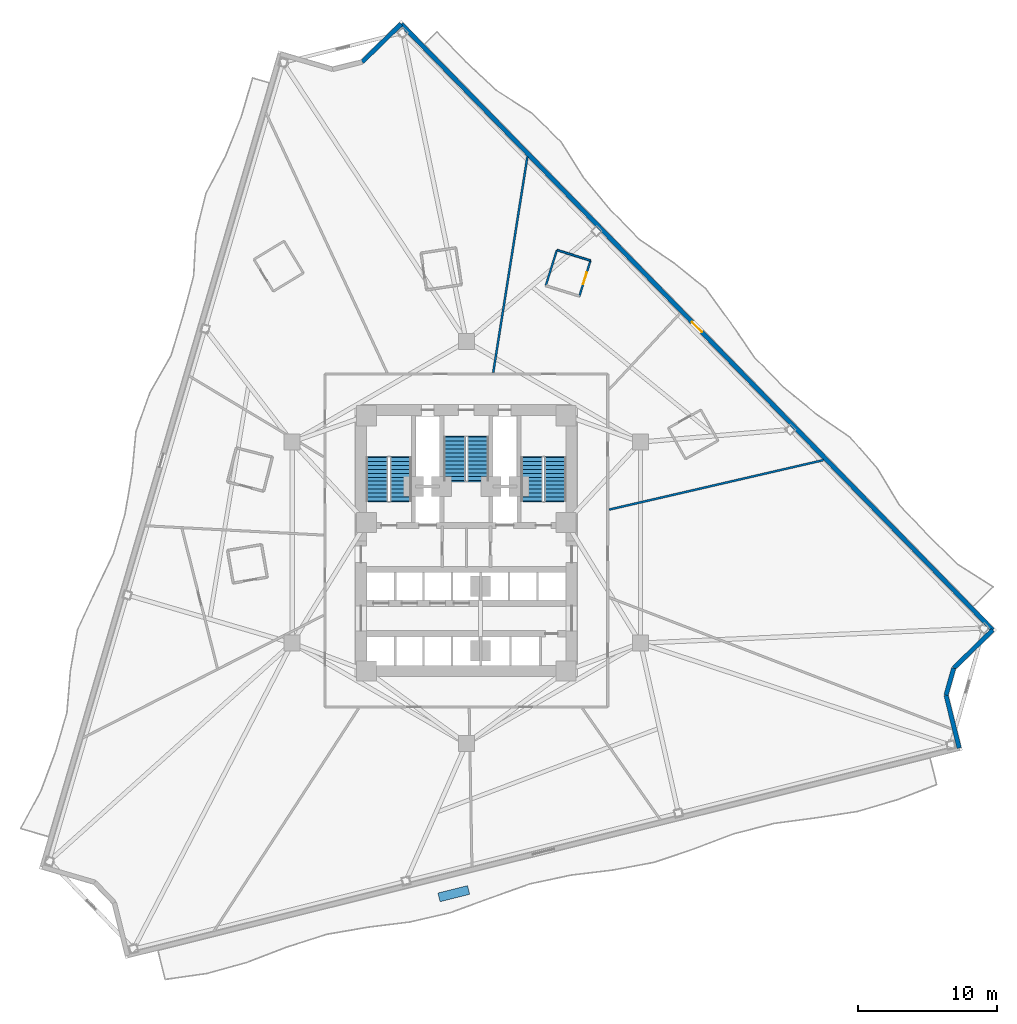
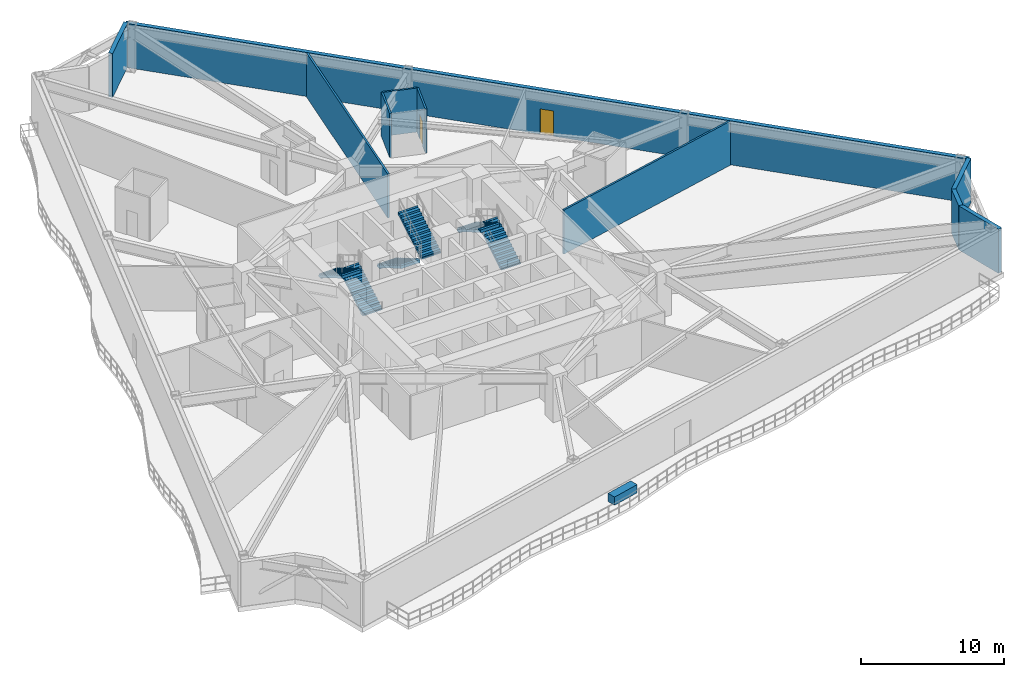
# One storey, part 9 of 13: 10 walls, 6 stair flights, 2 doors, 1 discrete accessory, 2 openings, 3 elements without a shape of their own.
"""IFC4 building model written with IfcOpenShell, lengths in metres."""

from ifc_helpers import new_model, si_unit, direction, frame, frame_2d, origin, origin_2d, place, context, subcontext, project, spatial, polyline, rectangle, outline, extrude, material, layer, layer_set, type_object, element, fill, aggregate, save


model = new_model("IFC4")

# Units and contexts
model_context = context("Model", 3, precision=1e-05, world=origin(), true_north=direction((0.0, 1.0)))
body_context = subcontext(model_context, "Body", "Model", "MODEL_VIEW")
ifc_project = project(units=[si_unit("LENGTHUNIT", "METRE"), si_unit("AREAUNIT", "SQUARE_METRE"), si_unit("VOLUMEUNIT", "CUBIC_METRE"), si_unit("PLANEANGLEUNIT", "RADIAN"), si_unit("MASSUNIT", "GRAM", prefix="KILO")], contexts=[model_context])

# Site, building, storey
site_placement = place(None, origin())
site = spatial("IfcSite", under=ifc_project, at=site_placement, CompositionType="ELEMENT")
building_placement = place(site_placement, origin())
building = spatial("IfcBuilding", under=site, at=building_placement, Name="Apsidion Concourse Tower", CompositionType="ELEMENT")
storey_placement = place(building_placement, frame((0.0, 0.0, 95.0)))
storey = spatial("IfcBuildingStorey", under=building, at=storey_placement, Name="L21", CompositionType="ELEMENT", Elevation=95.0)

# Wall, opening, door
ifc_material_1 = material(Name="Precast concrete C40/50", Category="concrete")
ifc_layer_1 = layer(ifc_material_1, 0.320068359375)
ifc_layer_set_1 = layer_set([ifc_layer_1], Name="Precast concrete C40/50")
wall_type_1 = type_object("IfcWallType", Name="WL-EXT-320", PredefinedType="STANDARD", material=ifc_layer_set_1)
wall_1_placement = place(storey_placement, frame((-4.6982421875, 37.40185546875, 0.0), z_axis=(0.0, 0.0, 1.0), x_axis=(0.698490621109, -0.715619208954, 0.0)))
wall_1 = element("IfcWall", 1, at=wall_1_placement, inside=storey, type_object=wall_type_1, Name="L21 Precast Stone Facade Wall 01", PredefinedType="STANDARD", context=body_context, shape_type="SweptSolid", body=[
    extrude(rectangle(XDim=61.075927734375, YDim=0.320068359375, at=frame_2d((30.5380859375, 0.0))), origin(), (0.0, 0.0, 1.0), 3.75),
])
opening_1_placement = place(wall_1_placement, frame((30.037841796875, 0.0, 0.0)))
opening_1 = element("IfcOpeningElement", 2, at=opening_1_placement, cuts=wall_1, Name="Opening D-T1R", PredefinedType="OPENING", context=body_context, shape_type="SweptSolid", body=[
    extrude(rectangle(XDim=1.0, YDim=2.14990234375, at=frame_2d((0.5, 1.074951171875))), frame((0.0, 0.169921875, 0.0), z_axis=(0.0, -1.0, 0.0), x_axis=(1.0, 0.0, 0.0)), (0.0, 0.0, 1.0), 0.340087890625),
])
ifc_material_2 = material(Name="Anodised aluminium EN AW-6063 T6", Category="aluminium")
door_type_1 = type_object("IfcDoorType", Name="DR-TER-1022R", OperationType="SINGLE_SWING_RIGHT", PredefinedType="DOOR", material=ifc_material_2)
door_1_placement = place(opening_1_placement, origin())
door_1 = element("IfcDoor", 3, at=door_1_placement, inside=storey, type_object=door_type_1, Name="L21 Balcony Access Door 3", OperationType="SINGLE_SWING_RIGHT", OverallHeight=2.14990234375, OverallWidth=1.0, PredefinedType="DOOR", context=body_context, shape_type="SweptSolid", body=[
    extrude(rectangle(XDim=1.0, YDim=2.14990234375, at=frame_2d((0.5, 1.074951171875))), frame((0.0, 0.02490234375, 0.0), z_axis=(0.0, -1.0, 0.0), x_axis=(1.0, 0.0, 0.0)), (0.0, 0.0, 1.0), 0.050048828125),
])
fill(opening_1, door_1)

# Walls
wall_2_placement = place(storey_placement, frame((37.962646484375, -6.30517578125, 0.0), z_axis=(0.0, 0.0, 1.0), x_axis=(-0.71562223009, -0.698487525873, 0.0)))
element("IfcWall", 4, at=wall_2_placement, inside=storey, type_object=wall_type_1, Name="L21 Precast Stone Facade Wall 02", PredefinedType="STANDARD", context=body_context, shape_type="SweptSolid", body=[
    extrude(rectangle(XDim=3.9326171875, YDim=0.320068359375, at=frame_2d((1.96630859375, 0.0))), origin(), (0.0, 0.0, 1.0), 3.75),
])
wall_3_placement = place(storey_placement, frame((35.1484375, -9.052001953125, 0.0), z_axis=(0.0, 0.0, 1.0), x_axis=(-0.27306692697, -0.961995038134, 0.0)))
element("IfcWall", 5, at=wall_3_placement, inside=storey, type_object=wall_type_1, Name="L21 Precast Stone Facade Wall 03", PredefinedType="STANDARD", context=body_context, shape_type="SweptSolid", body=[
    extrude(rectangle(XDim=2.02783203125, YDim=0.320068359375, at=frame_2d((1.013916015625, 0.0))), origin(), (0.0, 0.0, 1.0), 3.75),
])
wall_4_placement = place(storey_placement, frame((34.5947265625, -11.002685546875, 0.0), z_axis=(0.0, 0.0, 1.0), x_axis=(0.241936662418, -0.970292044375, 0.0)))
element("IfcWall", 6, at=wall_4_placement, inside=storey, type_object=wall_type_1, Name="L21 Precast Stone Facade Wall 04", PredefinedType="STANDARD", context=body_context, shape_type="SweptSolid", body=[
    extrude(rectangle(XDim=3.9326171875, YDim=0.320068359375, at=frame_2d((1.96630859375, 0.0))), origin(), (0.0, 0.0, 1.0), 3.75),
])
wall_5_placement = place(storey_placement, frame((-7.51318359375, 34.654296875, 0.0), z_axis=(0.0, 0.0, 1.0), x_axis=(0.715620001602, 0.698489809022, 0.0)))
element("IfcWall", 7, at=wall_5_placement, inside=storey, type_object=wall_type_1, Name="L21 Precast Stone Facade Wall 12", PredefinedType="STANDARD", context=body_context, shape_type="SweptSolid", body=[
    extrude(rectangle(XDim=3.93359375, YDim=0.320068359375, at=frame_2d((1.966796875, 0.0))), origin(), (0.0, 0.0, 1.0), 3.75),
])

# Wall, opening, door
ifc_material_3 = material(Name="Gypsum plasterboard partition")
ifc_layer_2 = layer(ifc_material_3, 0.139892578125)
ifc_layer_set_2 = layer_set([ifc_layer_2], Name="Gypsum plasterboard partition")
wall_type_2 = type_object("IfcWallType", Name="WL-INT-PAR-140", PredefinedType="PARTITIONING", material=ifc_layer_set_2)
wall_6_placement = place(storey_placement, frame((8.153076171875, 17.76953125, 0.0), z_axis=(0.0, 0.0, 1.0), x_axis=(0.299050058413, 0.954237424629, 0.0)))
wall_6 = element("IfcWall", 8, at=wall_6_placement, inside=storey, type_object=wall_type_2, Name="L21 Interior Partition WL-L21-POD-ENS07-S1", PredefinedType="PARTITIONING", context=body_context, shape_type="SweptSolid", body=[
    extrude(rectangle(XDim=2.68994140625, YDim=0.139892578125, at=frame_2d((1.344970703125, 0.0))), origin(), (0.0, 0.0, 1.0), 3.75),
])
opening_2_placement = place(wall_6_placement, frame((0.905029296875, 0.0, 0.0)))
opening_2 = element("IfcOpeningElement", 9, at=opening_2_placement, cuts=wall_6, Name="Opening D-03R", PredefinedType="OPENING", context=body_context, shape_type="SweptSolid", body=[
    extrude(rectangle(XDim=0.8798828125, YDim=2.10009765625, at=frame_2d((0.43994140625, 1.050048828125))), frame((0.0, 0.080078125, 0.0), z_axis=(0.0, -1.0, 0.0), x_axis=(1.0, 0.0, 0.0)), (0.0, 0.0, 1.0), 0.159912109375),
])
door_type_2 = type_object("IfcDoorType", Name="DR-INT-D03R", OperationType="SINGLE_SWING_RIGHT", PredefinedType="DOOR", material=ifc_material_2)
door_2_placement = place(opening_2_placement, origin())
door_2 = element("IfcDoor", 10, at=door_2_placement, inside=storey, type_object=door_type_2, Name="L21 Guest En-Suite Bathroom Door ENS07", OperationType="SINGLE_SWING_RIGHT", OverallHeight=2.10009765625, OverallWidth=0.8798828125, PredefinedType="DOOR", context=body_context, shape_type="SweptSolid", body=[
    extrude(rectangle(XDim=0.8798828125, YDim=2.10009765625, at=frame_2d((0.43994140625, 1.050048828125))), frame((0.0, 0.02490234375, 0.0), z_axis=(0.0, -1.0, 0.0), x_axis=(1.0, 0.0, 0.0)), (0.0, 0.0, 1.0), 0.050048828125),
])
fill(opening_2, door_2)

# Walls
wall_7_placement = place(storey_placement, frame((8.95751953125, 20.33642578125, 0.0), z_axis=(0.0, 0.0, 1.0), x_axis=(-0.954247092135, 0.299019208666, 0.0)))
element("IfcWall", 11, at=wall_7_placement, inside=storey, type_object=wall_type_2, Name="L21 Interior Partition WL-L21-POD-ENS07-S2", PredefinedType="PARTITIONING", context=body_context, shape_type="SweptSolid", body=[
    extrude(rectangle(XDim=2.5400390625, YDim=0.139892578125, at=frame_2d((1.27001953125, 0.0))), origin(), (0.0, 0.0, 1.0), 3.75),
])
wall_8_placement = place(storey_placement, frame((6.53369140625, 21.095947265625, 0.0), z_axis=(0.0, 0.0, 1.0), x_axis=(-0.299050058413, -0.954237424629, 0.0)))
element("IfcWall", 12, at=wall_8_placement, inside=storey, type_object=wall_type_2, Name="L21 Interior Partition WL-L21-POD-ENS07-S3", PredefinedType="PARTITIONING", context=body_context, shape_type="SweptSolid", body=[
    extrude(rectangle(XDim=2.68994140625, YDim=0.139892578125, at=frame_2d((1.344970703125, 0.0))), origin(), (0.0, 0.0, 1.0), 3.75),
])
ifc_layer_3 = layer(ifc_material_3, 0.14990234375)
ifc_layer_set_3 = layer_set([ifc_layer_3], Name="Gypsum plasterboard partition")
wall_type_3 = type_object("IfcWallType", Name="WL-INT-PAR-150", PredefinedType="PARTITIONING", material=ifc_layer_set_3)
wall_9_placement = place(storey_placement, frame((10.304931640625, 2.379150390625, 0.0), z_axis=(0.0, 0.0, 1.0), x_axis=(0.974370696927, 0.224948316218, 0.0)))
element("IfcWall", 13, at=wall_9_placement, inside=storey, type_object=wall_type_3, Name="L21 Interior Partition WL-L21-RAD-01-1", PredefinedType="PARTITIONING", context=body_context, shape_type="SweptSolid", body=[
    extrude(rectangle(XDim=15.86083984375, YDim=0.14990234375, at=frame_2d((7.930419921875, 0.0))), origin(), (0.0, 0.0, 1.0), 3.75),
])
wall_10_placement = place(storey_placement, frame((1.94091796875, 12.2548828125, 0.0), z_axis=(0.0, 0.0, 1.0), x_axis=(0.156438988869, 0.98768762408, 0.0)))
element("IfcWall", 14, at=wall_10_placement, inside=storey, type_object=wall_type_3, Name="L21 Interior Partition WL-L21-RAD-03-1", PredefinedType="PARTITIONING", context=body_context, shape_type="SweptSolid", body=[
    extrude(rectangle(XDim=15.76220703125, YDim=0.14990234375, at=frame_2d((7.881103515625, 0.0))), origin(), (0.0, 0.0, 1.0), 3.75),
])

# Stair, stair flights
stair_type = type_object("IfcStairType", Name="ST-DL-1550", PredefinedType="HALF_TURN_STAIR", material=ifc_material_1)
stair_1_placement = place(storey_placement, origin())
stair_1 = element("IfcStair", 15, at=stair_1_placement, inside=storey, type_object=stair_type, Name="L21 Protected Core Exit Stair ST1", PredefinedType="HALF_TURN_STAIR")
stair_flight_type = type_object("IfcStairFlightType", Name="SFL-RC-1550", PredefinedType="STRAIGHT", material=ifc_material_1)
stair_flight_1_placement = place(storey_placement, frame((-4.72509765625, 3.0, 0.0), z_axis=(0.0, 0.0, 1.0), x_axis=(0.0, 1.0, 0.0)))
stair_flight_1 = element("IfcStairFlight", 16, at=stair_flight_1_placement, type_object=stair_flight_type, Name="ST1 flight 1", NumberOfRisers=12, NumberOfTreads=11, PredefinedType="STRAIGHT", RiserHeight=0.166666667, TreadLength=0.285, context=body_context, shape_type="SweptSolid", body=[
    extrude(outline(polyline([(-0.080078125, -0.1123046875), (-0.080078125, 0.0), (0.0, 0.0), (0.0, 0.166748046875), (0.284912109375, 0.166748046875), (0.284912109375, 0.333251953125), (0.570068359375, 0.333251953125), (0.570068359375, 0.5), (0.85498046875, 0.5), (0.85498046875, 0.666748046875), (1.139892578125, 0.666748046875), (1.139892578125, 0.833251953125), (1.425048828125, 0.833251953125), (1.425048828125, 1.0), (1.7099609375, 1.0), (1.7099609375, 1.166748046875), (1.9951171875, 1.166748046875), (1.9951171875, 1.333251953125), (2.280029296875, 1.333251953125), (2.280029296875, 1.5), (2.56494140625, 1.5), (2.56494140625, 1.666748046875), (2.85009765625, 1.666748046875), (2.85009765625, 1.833251953125), (3.135009765625, 1.833251953125), (3.135009765625, 2.0), (3.215087890625, 1.916748046875), (3.215087890625, 1.65966796875), (3.135009765625, 1.65966796875), (0.296875, 0.0), (0.296875, -0.1123046875), (-0.080078125, -0.1123046875)])), frame((0.0, 0.77490234375, 0.0), z_axis=(0.0, -1.0, 0.0), x_axis=(1.0, 0.0, 0.0)), (0.0, 0.0, 1.0), 1.550048828125),
])
stair_flight_2_placement = place(storey_placement, frame((-6.425048828125, 6.135009765625, 2.0), z_axis=(0.0, 0.0, 1.0), x_axis=(0.0, -1.0, 0.0)))
stair_flight_2 = element("IfcStairFlight", 17, at=stair_flight_2_placement, type_object=stair_flight_type, Name="ST1 flight 2", NumberOfRisers=12, NumberOfTreads=11, PredefinedType="STRAIGHT", RiserHeight=0.166666667, TreadLength=0.285, context=body_context, shape_type="SweptSolid", body=[
    extrude(outline(polyline([(-0.080078125, -0.1123046875), (-0.080078125, 0.0), (0.0, 0.0), (0.0, 0.166748046875), (0.284912109375, 0.166748046875), (0.284912109375, 0.333251953125), (0.570068359375, 0.333251953125), (0.570068359375, 0.5), (0.85498046875, 0.5), (0.85498046875, 0.666748046875), (1.139892578125, 0.666748046875), (1.139892578125, 0.833251953125), (1.425048828125, 0.833251953125), (1.425048828125, 1.0), (1.7099609375, 1.0), (1.7099609375, 1.166748046875), (1.9951171875, 1.166748046875), (1.9951171875, 1.333251953125), (2.280029296875, 1.333251953125), (2.280029296875, 1.5), (2.56494140625, 1.5), (2.56494140625, 1.666748046875), (2.85009765625, 1.666748046875), (2.85009765625, 1.833251953125), (3.135009765625, 1.833251953125), (3.135009765625, 2.0), (3.215087890625, 1.916748046875), (3.215087890625, 1.65966796875), (3.135009765625, 1.65966796875), (0.296875, 0.0), (0.296875, -0.1123046875), (-0.080078125, -0.1123046875)])), frame((0.0, 0.77490234375, 0.0), z_axis=(0.0, -1.0, 0.0), x_axis=(1.0, 0.0, 0.0)), (0.0, 0.0, 1.0), 1.550048828125),
])
aggregate(stair_1, [stair_flight_1, stair_flight_2])

stair_2_placement = place(storey_placement, origin())
stair_2 = element("IfcStair", 18, at=stair_2_placement, inside=storey, type_object=stair_type, Name="L21 Protected Core Exit Stair ST2", PredefinedType="HALF_TURN_STAIR")
stair_flight_3_placement = place(storey_placement, frame((6.425048828125, 3.0, 0.0), z_axis=(0.0, 0.0, 1.0), x_axis=(0.0, 1.0, 0.0)))
stair_flight_3 = element("IfcStairFlight", 19, at=stair_flight_3_placement, type_object=stair_flight_type, Name="ST2 flight 1", NumberOfRisers=12, NumberOfTreads=11, PredefinedType="STRAIGHT", RiserHeight=0.166666667, TreadLength=0.285, context=body_context, shape_type="SweptSolid", body=[
    extrude(outline(polyline([(-0.080078125, -0.1123046875), (-0.080078125, 0.0), (0.0, 0.0), (0.0, 0.166748046875), (0.284912109375, 0.166748046875), (0.284912109375, 0.333251953125), (0.570068359375, 0.333251953125), (0.570068359375, 0.5), (0.85498046875, 0.5), (0.85498046875, 0.666748046875), (1.139892578125, 0.666748046875), (1.139892578125, 0.833251953125), (1.425048828125, 0.833251953125), (1.425048828125, 1.0), (1.7099609375, 1.0), (1.7099609375, 1.166748046875), (1.9951171875, 1.166748046875), (1.9951171875, 1.333251953125), (2.280029296875, 1.333251953125), (2.280029296875, 1.5), (2.56494140625, 1.5), (2.56494140625, 1.666748046875), (2.85009765625, 1.666748046875), (2.85009765625, 1.833251953125), (3.135009765625, 1.833251953125), (3.135009765625, 2.0), (3.215087890625, 1.916748046875), (3.215087890625, 1.65966796875), (3.135009765625, 1.65966796875), (0.296875, 0.0), (0.296875, -0.1123046875), (-0.080078125, -0.1123046875)])), frame((0.0, 0.77490234375, 0.0), z_axis=(0.0, -1.0, 0.0), x_axis=(1.0, 0.0, 0.0)), (0.0, 0.0, 1.0), 1.550048828125),
])
stair_flight_4_placement = place(storey_placement, frame((4.72509765625, 6.135009765625, 2.0), z_axis=(0.0, 0.0, 1.0), x_axis=(0.0, -1.0, 0.0)))
stair_flight_4 = element("IfcStairFlight", 20, at=stair_flight_4_placement, type_object=stair_flight_type, Name="ST2 flight 2", NumberOfRisers=12, NumberOfTreads=11, PredefinedType="STRAIGHT", RiserHeight=0.166666667, TreadLength=0.285, context=body_context, shape_type="SweptSolid", body=[
    extrude(outline(polyline([(-0.080078125, -0.1123046875), (-0.080078125, 0.0), (0.0, 0.0), (0.0, 0.166748046875), (0.284912109375, 0.166748046875), (0.284912109375, 0.333251953125), (0.570068359375, 0.333251953125), (0.570068359375, 0.5), (0.85498046875, 0.5), (0.85498046875, 0.666748046875), (1.139892578125, 0.666748046875), (1.139892578125, 0.833251953125), (1.425048828125, 0.833251953125), (1.425048828125, 1.0), (1.7099609375, 1.0), (1.7099609375, 1.166748046875), (1.9951171875, 1.166748046875), (1.9951171875, 1.333251953125), (2.280029296875, 1.333251953125), (2.280029296875, 1.5), (2.56494140625, 1.5), (2.56494140625, 1.666748046875), (2.85009765625, 1.666748046875), (2.85009765625, 1.833251953125), (3.135009765625, 1.833251953125), (3.135009765625, 2.0), (3.215087890625, 1.916748046875), (3.215087890625, 1.65966796875), (3.135009765625, 1.65966796875), (0.296875, 0.0), (0.296875, -0.1123046875), (-0.080078125, -0.1123046875)])), frame((0.0, 0.77490234375, 0.0), z_axis=(0.0, -1.0, 0.0), x_axis=(1.0, 0.0, 0.0)), (0.0, 0.0, 1.0), 1.550048828125),
])
aggregate(stair_2, [stair_flight_3, stair_flight_4])

stair_3_placement = place(storey_placement, origin())
stair_3 = element("IfcStair", 21, at=stair_3_placement, inside=storey, type_object=stair_type, Name="L21 Protected Core Exit Stair ST3", PredefinedType="HALF_TURN_STAIR")
stair_flight_5_placement = place(storey_placement, frame((-0.85009765625, 7.60009765625, 0.0), z_axis=(0.0, 0.0, 1.0), x_axis=(0.0, -1.0, 0.0)))
stair_flight_5 = element("IfcStairFlight", 22, at=stair_flight_5_placement, type_object=stair_flight_type, Name="ST3 flight 1", NumberOfRisers=12, NumberOfTreads=11, PredefinedType="STRAIGHT", RiserHeight=0.166666667, TreadLength=0.285, context=body_context, shape_type="SweptSolid", body=[
    extrude(outline(polyline([(-0.080078125, -0.1123046875), (-0.080078125, 0.0), (0.0, 0.0), (0.0, 0.166748046875), (0.284912109375, 0.166748046875), (0.284912109375, 0.333251953125), (0.570068359375, 0.333251953125), (0.570068359375, 0.5), (0.85498046875, 0.5), (0.85498046875, 0.666748046875), (1.139892578125, 0.666748046875), (1.139892578125, 0.833251953125), (1.425048828125, 0.833251953125), (1.425048828125, 1.0), (1.7099609375, 1.0), (1.7099609375, 1.166748046875), (1.9951171875, 1.166748046875), (1.9951171875, 1.333251953125), (2.280029296875, 1.333251953125), (2.280029296875, 1.5), (2.56494140625, 1.5), (2.56494140625, 1.666748046875), (2.85009765625, 1.666748046875), (2.85009765625, 1.833251953125), (3.135009765625, 1.833251953125), (3.135009765625, 2.0), (3.215087890625, 1.916748046875), (3.215087890625, 1.65966796875), (3.135009765625, 1.65966796875), (0.296875, 0.0), (0.296875, -0.1123046875), (-0.080078125, -0.1123046875)])), frame((0.0, 0.77490234375, 0.0), z_axis=(0.0, -1.0, 0.0), x_axis=(1.0, 0.0, 0.0)), (0.0, 0.0, 1.0), 1.550048828125),
])
stair_flight_6_placement = place(storey_placement, frame((0.85009765625, 4.465087890625, 2.0), z_axis=(0.0, 0.0, 1.0), x_axis=(0.0, 1.0, 0.0)))
stair_flight_6 = element("IfcStairFlight", 23, at=stair_flight_6_placement, type_object=stair_flight_type, Name="ST3 flight 2", NumberOfRisers=12, NumberOfTreads=11, PredefinedType="STRAIGHT", RiserHeight=0.166666667, TreadLength=0.285, context=body_context, shape_type="SweptSolid", body=[
    extrude(outline(polyline([(-0.080078125, -0.1123046875), (-0.080078125, 0.0), (0.0, 0.0), (0.0, 0.166748046875), (0.284912109375, 0.166748046875), (0.284912109375, 0.333251953125), (0.570068359375, 0.333251953125), (0.570068359375, 0.5), (0.85498046875, 0.5), (0.85498046875, 0.666748046875), (1.139892578125, 0.666748046875), (1.139892578125, 0.833251953125), (1.425048828125, 0.833251953125), (1.425048828125, 1.0), (1.7099609375, 1.0), (1.7099609375, 1.166748046875), (1.9951171875, 1.166748046875), (1.9951171875, 1.333251953125), (2.280029296875, 1.333251953125), (2.280029296875, 1.5), (2.56494140625, 1.5), (2.56494140625, 1.666748046875), (2.85009765625, 1.666748046875), (2.85009765625, 1.833251953125), (3.135009765625, 1.833251953125), (3.135009765625, 2.0), (3.215087890625, 1.916748046875), (3.215087890625, 1.65966796875), (3.135009765625, 1.65966796875), (0.296875, 0.0), (0.296875, -0.1123046875), (-0.080078125, -0.1123046875)])), frame((0.0, 0.77490234375, 0.0), z_axis=(0.0, -1.0, 0.0), x_axis=(1.0, 0.0, 0.0)), (0.0, 0.0, 1.0), 1.550048828125),
])
aggregate(stair_3, [stair_flight_5, stair_flight_6])

# Discrete accessory
discrete_accessory_type = type_object("IfcDiscreteAccessoryType", Name="ACC-PLANTER-90", PredefinedType="USERDEFINED", material=ifc_material_1)
discrete_accessory_placement = place(storey_placement, frame((-0.9013671875, -25.319091796875, 0.0), z_axis=(0.0, 0.0, 1.0), x_axis=(0.970295726276, 0.2419218956, 0.0)))
element("IfcDiscreteAccessory", 24, at=discrete_accessory_placement, inside=storey, type_object=discrete_accessory_type, Name="L21 Spiral Sky-Terrace Planter 2", ObjectType="PLANTER", PredefinedType="USERDEFINED", context=body_context, shape_type="SweptSolid", body=[
    extrude(rectangle(XDim=2.199951171875, YDim=0.64990234375, at=origin_2d()), origin(), (0.0, 0.0, 1.0), 0.699951171875),
])

save(model, "model.ifc")
